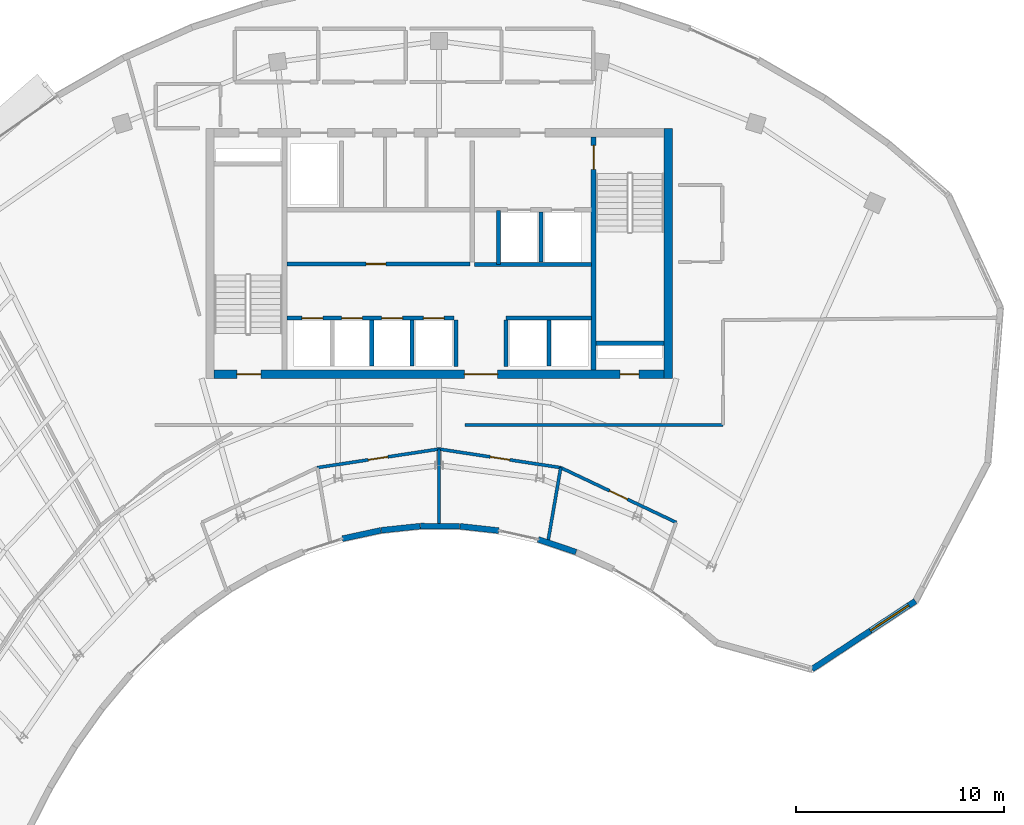
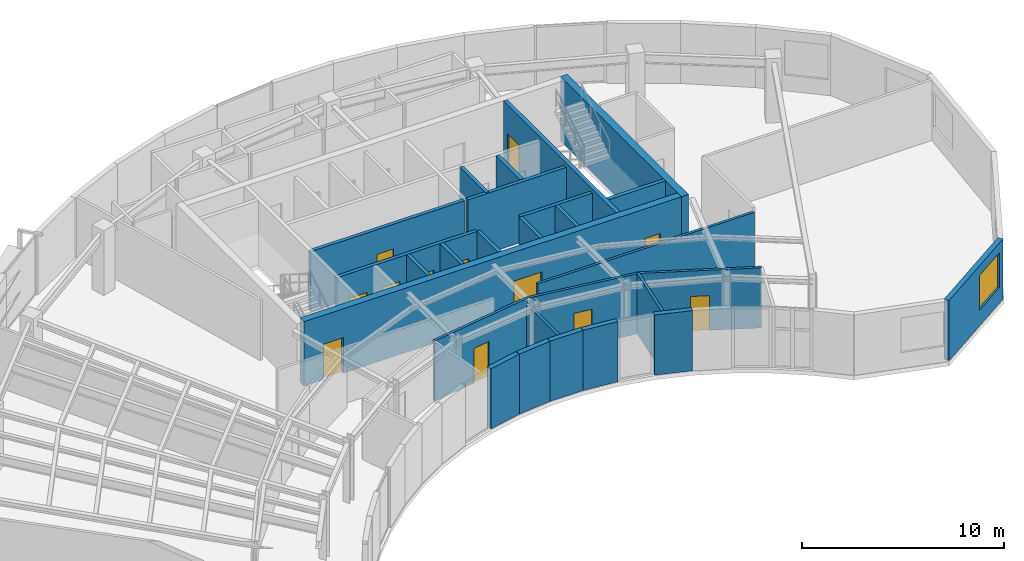
# One storey, part 9 of 13: 27 walls, 12 doors, 1 window, 13 openings.
"""IFC4 building model written with IfcOpenShell, lengths in metres."""

import ifcopenshell
import ifcopenshell.guid

model = None  # the IFC model being written
_history = None  # IfcOwnerHistory: only IFC2X3 demands one
_inside = {}  # id of a spatial element -> (the spatial element, [elements in it])
_under = {}  # id of a project, library or spatial element -> (it, [spatial elements below it])
_declared = {}  # id of a project -> (the project, [libraries it declares])
_typed = {}  # id of a type object -> (the type object, [elements of that type])
_made_of = {}  # id of a material, layer set ... -> (it, [elements and type objects made of it])


def new_model(schema):
    """Start an empty IFC model of exactly this schema.

    Asked for "IFC4X3", IfcOpenShell would pick the latest addendum, in which some entities
    have other attributes; the version numbers below select the first issue.
    IFC2X3 requires an IfcOwnerHistory on every rooted entity: one is made here for all.
    """
    global model, _history
    if schema == "IFC4X3":
        model = ifcopenshell.file(schema_version=(4, 3, 0, 0))
    else:
        model = ifcopenshell.file(schema=schema)
    _inside.clear()
    _under.clear()
    _declared.clear()
    _typed.clear()
    _made_of.clear()
    _history = None
    if model.schema == "IFC2X3":
        org = make("IfcOrganization", Name="unknown")
        user = make(
            "IfcPersonAndOrganization",
            ThePerson=make("IfcPerson", FamilyName="unknown"),
            TheOrganization=org,
        )
        app = make(
            "IfcApplication",
            ApplicationDeveloper=org,
            Version="unknown",
            ApplicationFullName="unknown",
            ApplicationIdentifier="unknown",
        )
        _history = make(
            "IfcOwnerHistory",
            OwningUser=user,
            OwningApplication=app,
            ChangeAction="ADDED",
            CreationDate=0,
        )
    return model


def make(cls, **values):
    """One entity of the class cls with the attributes given. An attribute that is None is left unset."""
    return model.create_entity(
        cls, **{name: value for name, value in values.items() if value is not None}
    )


def rooted(cls, **values):
    """An entity with a GlobalId (a new one), such as an element, a storey or a relation."""
    return make(cls, GlobalId=ifcopenshell.guid.new(), OwnerHistory=_history, **values)


def si_unit(unit_type, name, prefix=None):
    """IfcSIUnit, for example si_unit("LENGTHUNIT", "METRE", prefix="MILLI")."""
    return make("IfcSIUnit", UnitType=unit_type, Prefix=prefix, Name=name)


def assignment(units):
    """IfcUnitAssignment: the units of a project."""
    return None if units is None else make("IfcUnitAssignment", Units=units)


def point(xyz):
    """IfcCartesianPoint."""
    return None if xyz is None else make("IfcCartesianPoint", Coordinates=xyz)


def direction(xyz):
    """IfcDirection."""
    return None if xyz is None else make("IfcDirection", DirectionRatios=xyz)


def frame(location, z_axis=None, x_axis=None):
    """IfcAxis2Placement3D, a coordinate frame: its origin and axes. An axis left out is left unset."""
    return make(
        "IfcAxis2Placement3D",
        Location=point(location),
        Axis=direction(z_axis),
        RefDirection=direction(x_axis),
    )


def frame_2d(location, x_axis=None):
    """IfcAxis2Placement2D, a coordinate frame in the plane: its origin and x axis."""
    return make(
        "IfcAxis2Placement2D", Location=point(location), RefDirection=direction(x_axis)
    )


def origin():
    """The frame at (0, 0, 0) with its axes left unset."""
    return frame((0.0, 0.0, 0.0))


def place(relative_to, where):
    """IfcLocalPlacement: puts the frame where relative to a parent placement (None: the world)."""
    return make(
        "IfcLocalPlacement", PlacementRelTo=relative_to, RelativePlacement=where
    )


def context(
    kind, dimensions, precision=None, world=None, true_north=None, identifier=None
):
    """IfcGeometricRepresentationContext, for example the 3D "Model" context."""
    return make(
        "IfcGeometricRepresentationContext",
        ContextIdentifier=identifier,
        ContextType=kind,
        CoordinateSpaceDimension=dimensions,
        Precision=precision,
        WorldCoordinateSystem=world,
        TrueNorth=true_north,
    )


def subcontext(parent, identifier, kind, view, scale=None):
    """IfcGeometricRepresentationSubContext, for example "Body" below "Model"."""
    return make(
        "IfcGeometricRepresentationSubContext",
        ContextIdentifier=identifier,
        ContextType=kind,
        ParentContext=parent,
        TargetScale=scale,
        TargetView=view,
    )


def project(units=None, contexts=None):
    """IfcProject with its units and contexts."""
    return rooted(
        "IfcProject",
        Name="project",
        RepresentationContexts=contexts,
        UnitsInContext=assignment(units),
    )


def spatial(cls, under=None, at=None, **own):
    """A site, building, storey or space (cls), placed at a placement, below another one or the project."""
    s = rooted(cls, ObjectPlacement=at, **own)
    if under is not None:
        _under.setdefault(under.id(), (under, []))[1].append(s)
    return s


def profile(cls, at=None, kind="AREA", **sizes):
    """A parametric profile (cls). Its sizes go by their IFC names, for example OverallWidth=200.0."""
    return make(cls, ProfileType=kind, Position=at, **sizes)


def rectangle(**sizes):
    """IfcRectangleProfileDef."""
    return profile("IfcRectangleProfileDef", **sizes)


def extrude(swept, where, along, depth):
    """IfcExtrudedAreaSolid: the profile swept, set in the frame where, extruded along a direction by depth."""
    return make(
        "IfcExtrudedAreaSolid",
        SweptArea=swept,
        Position=where,
        ExtrudedDirection=direction(along),
        Depth=depth,
    )


def shape(context_of_items, identifier, shape_type, items):
    """IfcShapeRepresentation: the items that make up one representation, for example the "Body"."""
    return make(
        "IfcShapeRepresentation",
        ContextOfItems=context_of_items,
        RepresentationIdentifier=identifier,
        RepresentationType=shape_type,
        Items=items,
    )


def source(mapping_origin, context_of_items, identifier, shape_type, items):
    """IfcRepresentationMap: a shape defined once, which mapped items show again and again."""
    return make(
        "IfcRepresentationMap",
        MappingOrigin=mapping_origin,
        MappedRepresentation=shape(context_of_items, identifier, shape_type, items),
    )


def transform(
    local_origin,
    x_axis=None,
    y_axis=None,
    z_axis=None,
    scale=None,
    scale2=None,
    scale3=None,
    uniform=True,
):
    """IfcCartesianTransformationOperator3D, or its non-uniform kind. x_axis, y_axis, z_axis: its Axis1, 2, 3."""
    if uniform:
        return make(
            "IfcCartesianTransformationOperator3D",
            Axis1=direction(x_axis),
            Axis2=direction(y_axis),
            LocalOrigin=point(local_origin),
            Scale=scale,
            Axis3=direction(z_axis),
        )
    return make(
        "IfcCartesianTransformationOperator3DnonUniform",
        Axis1=direction(x_axis),
        Axis2=direction(y_axis),
        LocalOrigin=point(local_origin),
        Scale=scale,
        Axis3=direction(z_axis),
        Scale2=scale2,
        Scale3=scale3,
    )


def mapped(mapping_source, mapping_target):
    """IfcMappedItem: shows the shape of a source again, moved by a transform."""
    return make(
        "IfcMappedItem", MappingSource=mapping_source, MappingTarget=mapping_target
    )


def material(Name=None, Category=None):
    """IfcMaterial."""
    return make("IfcMaterial", Name=Name, Category=Category)


def layer(
    of_material, thickness, ventilated=None, Name=None, Category=None, Priority=None
):
    """IfcMaterialLayer: one layer of a wall or slab, of a material (None: an air gap)."""
    return make(
        "IfcMaterialLayer",
        Material=of_material,
        LayerThickness=thickness,
        IsVentilated=ventilated,
        Name=Name,
        Category=Category,
        Priority=Priority,
    )


def layer_set(layers, Name=None):
    """IfcMaterialLayerSet."""
    return make("IfcMaterialLayerSet", MaterialLayers=layers, LayerSetName=Name)


def made_of(thing, what):
    """Note that an element or type object is made of a material, layer set ...; save() writes the relation."""
    if what is not None:
        _made_of.setdefault(what.id(), (what, []))[1].append(thing)
    return thing


def type_object(cls, material=None, **own):
    """A type object (cls), such as IfcWallType, which elements share."""
    return made_of(rooted(cls, **own), material)


def type_shapes(of_type, sources):
    """Give a type object the sources (RepresentationMaps) that its elements show as mapped items."""
    of_type.RepresentationMaps = sources


def element(
    cls,
    number,
    at=None,
    inside=None,
    cuts=None,
    type_object=None,
    material=None,
    context=None,
    identifier="Body",
    shape_type=None,
    held_by="IfcProductDefinitionShape",
    body=None,
    shapes=None,
    **own,
):
    """One element of the class cls, such as IfcWall. Its Tag is "e" and its number.

    at: its placement. inside: the storey or other place that contains it. cuts: it is an
    opening in that element (IfcRelVoidsElement). A single representation is given by context,
    identifier, shape_type and body (its items); several are given by shapes. held_by: the class
    of the entity that holds the representations. save() writes the other relations.
    """
    e = rooted(cls, Tag="e%d" % number, ObjectPlacement=at, **own)
    if body is not None:
        shapes = [shape(context, identifier, shape_type, body)]
    if shapes is not None:
        e.Representation = make(held_by, Representations=shapes)
    if inside is not None:
        _inside.setdefault(inside.id(), (inside, []))[1].append(e)
    if cuts is not None:
        rooted(
            "IfcRelVoidsElement", RelatingBuildingElement=cuts, RelatedOpeningElement=e
        )
    if type_object is not None:
        _typed.setdefault(type_object.id(), (type_object, []))[1].append(e)
    return made_of(e, material)


def fill(opening, filler):
    """IfcRelFillsElement: the door or window that sits in an opening."""
    return rooted(
        "IfcRelFillsElement",
        RelatingOpeningElement=opening,
        RelatedBuildingElement=filler,
    )


def aggregate(whole, parts):
    """IfcRelAggregates: a whole, such as a stair, and the parts it consists of."""
    return rooted("IfcRelAggregates", RelatingObject=whole, RelatedObjects=parts)


def save(model, path):
    """Write the relations noted so far, then the file.

    IfcRelAggregates (storeys below a building ...), IfcRelContainedInSpatialStructure (elements
    in a storey), IfcRelDefinesByType, IfcRelAssociatesMaterial and IfcRelDeclares: one each for
    every whole, place, type object, material and project.
    """
    for whole, parts in _under.values():
        aggregate(whole, parts)
    for where, things in _inside.values():
        rooted(
            "IfcRelContainedInSpatialStructure",
            RelatedElements=things,
            RelatingStructure=where,
        )
    for kind, things in _typed.values():
        rooted("IfcRelDefinesByType", RelatedObjects=things, RelatingType=kind)
    for what, things in _made_of.values():
        rooted("IfcRelAssociatesMaterial", RelatedObjects=things, RelatingMaterial=what)
    for by, libraries in _declared.values():
        rooted("IfcRelDeclares", RelatingContext=by, RelatedDefinitions=libraries)
    model.write(path)


model = new_model("IFC4")

# Units and contexts
model_context = context("Model", 3, precision=1e-05, world=origin(), true_north=direction((0.0, 1.0)))
body_context = subcontext(model_context, "Body", "Model", "MODEL_VIEW")
ifc_project = project(units=[si_unit("LENGTHUNIT", "METRE"), si_unit("AREAUNIT", "SQUARE_METRE"), si_unit("VOLUMEUNIT", "CUBIC_METRE"), si_unit("PLANEANGLEUNIT", "RADIAN"), si_unit("MASSUNIT", "GRAM", prefix="KILO")], contexts=[model_context])

# Site, building, storey
site_placement = place(None, origin())
site = spatial("IfcSite", under=ifc_project, at=site_placement, CompositionType="ELEMENT")
building_placement = place(site_placement, origin())
building = spatial("IfcBuilding", under=site, at=building_placement, Name="Breltana Convention Tower", CompositionType="ELEMENT")
storey_placement = place(building_placement, frame((0.0, 0.0, 271.800048828125)))
storey = spatial("IfcBuildingStorey", under=building, at=storey_placement, Name="L66", CompositionType="ELEMENT", Elevation=271.800048828125)

# Walls
ifc_material_1 = material(Name="Concrete C50/60", Category="concrete")
ifc_layer_1 = layer(ifc_material_1, 0.39990234375, Name="Concrete C50/60")
ifc_layer_set_1 = layer_set([ifc_layer_1], Name="Concrete C50/60")
wall_type_1 = type_object("IfcWallType", Name="SW-CORE-400", PredefinedType="SHEAR", material=ifc_layer_set_1)
shared_shape_1 = source(origin(), body_context, "Body", "SweptSolid", [
    extrude(rectangle(XDim=3.27001953125, YDim=0.219970703125, at=frame_2d((1.635009765625, 0.0))), origin(), (0.0, 0.0, 1.0), 3.89990234375),
])
wall_1_placement = place(storey_placement, frame((55.530029296875, 61.889892578125, 0.0), z_axis=(0.0, 0.0, 1.0), x_axis=(1.0, 0.0, 0.0)))
element("IfcWall", 1, at=wall_1_placement, inside=storey, type_object=wall_type_1, Name="L66 ST-2 Stairwell South Bearing Wall", PredefinedType="SHEAR", context=body_context, shape_type="MappedRepresentation", body=[
    mapped(shared_shape_1, transform((0.0, 0.0, 0.0), scale=1.0)),
])
shared_shape_2 = source(origin(), body_context, "Body", "SweptSolid", [
    extrude(rectangle(XDim=12.0, YDim=0.39990234375, at=frame_2d((6.0, 0.0))), origin(), (0.0, 0.0, 1.0), 3.89990234375),
])
wall_2_placement = place(storey_placement, frame((59.0, 60.199951171875, 0.0), z_axis=(0.0, 0.0, 1.0), x_axis=(0.0, 1.0, 0.0)))
element("IfcWall", 2, at=wall_2_placement, inside=storey, type_object=wall_type_1, Name="L66 East Core Shear Wall", PredefinedType="SHEAR", context=body_context, shape_type="MappedRepresentation", body=[
    mapped(shared_shape_2, transform((0.0, 0.0, 0.0), scale=1.0)),
])

# Wall, openings, doors
shared_shape_3 = source(origin(), body_context, "Body", "SweptSolid", [
    extrude(rectangle(XDim=21.60009765625, YDim=0.39990234375, at=frame_2d((10.800048828125, 0.0))), origin(), (0.0, 0.0, 1.0), 3.89990234375),
])
wall_3_placement = place(storey_placement, frame((37.199951171875, 60.39990234375, 0.0), z_axis=(0.0, 0.0, 1.0), x_axis=(1.0, 0.0, 0.0)))
wall_3 = element("IfcWall", 3, at=wall_3_placement, inside=storey, type_object=wall_type_1, Name="L66 South Core Shear Wall", PredefinedType="SHEAR", context=body_context, shape_type="MappedRepresentation", body=[
    mapped(shared_shape_3, transform((0.0, 0.0, 0.0), scale=1.0)),
])
opening_1_placement = place(wall_3_placement, frame((1.10009765625, 0.0, 0.0)))
opening_1 = element("IfcOpeningElement", 4, at=opening_1_placement, cuts=wall_3, Name="Opening D-11", PredefinedType="OPENING", context=body_context, shape_type="SweptSolid", body=[
    extrude(rectangle(XDim=1.14990234375, YDim=2.14990234375, at=frame_2d((0.574951171875, 1.074951171875))), frame((0.0, 0.2099609375, 0.0), z_axis=(0.0, -1.0, 0.0), x_axis=(1.0, 0.0, 0.0)), (0.0, 0.0, 1.0), 0.419921875),
])
opening_2_placement = place(wall_3_placement, frame((19.5, 0.0, 0.0)))
opening_2 = element("IfcOpeningElement", 5, at=opening_2_placement, cuts=wall_3, Name="Opening D-18", PredefinedType="OPENING", context=body_context, shape_type="SweptSolid", body=[
    extrude(rectangle(XDim=0.89990234375, YDim=2.10009765625, at=frame_2d((0.449951171875, 1.050048828125))), frame((0.0, 0.2099609375, 0.0), z_axis=(0.0, -1.0, 0.0), x_axis=(1.0, 0.0, 0.0)), (0.0, 0.0, 1.0), 0.419921875),
])
opening_3_placement = place(wall_3_placement, frame((12.02001953125, 0.0, 0.0)))
opening_3 = element("IfcOpeningElement", 6, at=opening_3_placement, cuts=wall_3, Name="Opening D-02", PredefinedType="OPENING", context=body_context, shape_type="SweptSolid", body=[
    extrude(rectangle(XDim=1.60009765625, YDim=2.14990234375, at=frame_2d((0.800048828125, 1.074951171875))), frame((0.0, 0.2099609375, 0.0), z_axis=(0.0, -1.0, 0.0), x_axis=(1.0, 0.0, 0.0)), (0.0, 0.0, 1.0), 0.419921875),
])
ifc_material_2 = material(Name="Steel Stair Exit Door", Category="steel")
door_type_1 = type_object("IfcDoorType", Name="DR-FD120-1150", OperationType="NOTDEFINED", PredefinedType="DOOR", material=ifc_material_2)
shared_shape_4 = source(origin(), body_context, "Body", "SweptSolid", [
    extrude(rectangle(XDim=1.14990234375, YDim=2.14990234375, at=frame_2d((0.574951171875, 1.074951171875))), frame((0.0, 0.02490234375, 0.0), z_axis=(0.0, -1.0, 0.0), x_axis=(1.0, 0.0, 0.0)), (0.0, 0.0, 1.0), 0.050048828125),
])
type_shapes(door_type_1, [shared_shape_4])
door_1_placement = place(opening_1_placement, origin())
door_1 = element("IfcDoor", 7, at=door_1_placement, inside=storey, type_object=door_type_1, Name="L66 interior door D-L66-ST1", OperationType="SINGLE_SWING_LEFT", OverallHeight=2.14990234375, OverallWidth=1.14990234375, PredefinedType="DOOR", context=body_context, shape_type="MappedRepresentation", body=[
    mapped(shared_shape_4, transform((0.0, 0.0, 0.0), scale=1.0)),
])
fill(opening_1, door_1)
ifc_material_3 = material(Name="Steel Riser Fire Door", Category="steel")
door_type_2 = type_object("IfcDoorType", Name="DR-FD60-900", OperationType="NOTDEFINED", PredefinedType="DOOR", material=ifc_material_3)
shared_shape_5 = source(origin(), body_context, "Body", "SweptSolid", [
    extrude(rectangle(XDim=0.89990234375, YDim=2.10009765625, at=frame_2d((0.449951171875, 1.050048828125))), frame((0.0, 0.02490234375, 0.0), z_axis=(0.0, -1.0, 0.0), x_axis=(1.0, 0.0, 0.0)), (0.0, 0.0, 1.0), 0.050048828125),
])
type_shapes(door_type_2, [shared_shape_5])
door_2_placement = place(opening_2_placement, origin())
door_2 = element("IfcDoor", 8, at=door_2_placement, inside=storey, type_object=door_type_2, Name="L66 Core Riser Access Door D-L66-RS2", OperationType="SINGLE_SWING_RIGHT", OverallHeight=2.10009765625, OverallWidth=0.89990234375, PredefinedType="DOOR", context=body_context, shape_type="MappedRepresentation", body=[
    mapped(shared_shape_5, transform((0.0, 0.0, 0.0), scale=1.0)),
])
fill(opening_2, door_2)
ifc_material_4 = material(Name="Steel Glazed Smoke-Control Door", Category="steel")
door_type_3 = type_object("IfcDoorType", Name="DR-DBL-FD90-1600", OperationType="DOUBLE_DOOR_SINGLE_SWING", PredefinedType="DOOR", material=ifc_material_4)
shared_shape_6 = source(origin(), body_context, "Body", "SweptSolid", [
    extrude(rectangle(XDim=1.60009765625, YDim=2.14990234375, at=frame_2d((0.800048828125, 1.074951171875))), frame((0.0, 0.02490234375, 0.0), z_axis=(0.0, -1.0, 0.0), x_axis=(1.0, 0.0, 0.0)), (0.0, 0.0, 1.0), 0.050048828125),
])
type_shapes(door_type_3, [shared_shape_6])
door_3_placement = place(opening_3_placement, origin())
door_3 = element("IfcDoor", 9, at=door_3_placement, inside=storey, type_object=door_type_3, Name="L66 interior door D-L66-LLB-S", OperationType="DOUBLE_DOOR_SINGLE_SWING", OverallHeight=2.14990234375, OverallWidth=1.60009765625, PredefinedType="DOOR", context=body_context, shape_type="MappedRepresentation", body=[
    mapped(shared_shape_6, transform((0.0, 0.0, 0.0), scale=1.0)),
])
fill(opening_3, door_3)

# Wall, opening, door
shared_shape_7 = source(origin(), body_context, "Body", "SweptSolid", [
    extrude(rectangle(XDim=11.199951171875, YDim=0.219970703125, at=frame_2d((5.60009765625, 0.0))), origin(), (0.0, 0.0, 1.0), 3.89990234375),
])
wall_4_placement = place(storey_placement, frame((55.419921875, 60.60009765625, 0.0), z_axis=(0.0, 0.0, 1.0), x_axis=(0.0, 1.0, 0.0)))
wall_4 = element("IfcWall", 10, at=wall_4_placement, inside=storey, type_object=wall_type_1, Name="L66 Core East Stair Spine Wall", PredefinedType="SHEAR", context=body_context, shape_type="MappedRepresentation", body=[
    mapped(shared_shape_7, transform((0.0, 0.0, 0.0), scale=1.0)),
])
opening_4_placement = place(wall_4_placement, frame((9.64501953125, 0.0, 0.0)))
opening_4 = element("IfcOpeningElement", 11, at=opening_4_placement, cuts=wall_4, Name="Opening D-11", PredefinedType="OPENING", context=body_context, shape_type="SweptSolid", body=[
    extrude(rectangle(XDim=1.14990234375, YDim=2.14990234375, at=frame_2d((0.574951171875, 1.074951171875))), frame((0.0, 0.1201171875, 0.0), z_axis=(0.0, -1.0, 0.0), x_axis=(1.0, 0.0, 0.0)), (0.0, 0.0, 1.0), 0.239990234375),
])
door_4_placement = place(opening_4_placement, origin())
door_4 = element("IfcDoor", 12, at=door_4_placement, inside=storey, type_object=door_type_1, Name="L66 interior door D-L66-ST2", OperationType="SINGLE_SWING_LEFT", OverallHeight=2.14990234375, OverallWidth=1.14990234375, PredefinedType="DOOR", context=body_context, shape_type="MappedRepresentation", body=[
    mapped(shared_shape_4, transform((0.0, 0.0, 0.0), scale=1.0)),
])
fill(opening_4, door_4)

# Wall, opening, window
ifc_material_5 = material(Name="Limestone Buff Insulated Wall", Category="masonry")
ifc_layer_2 = layer(ifc_material_5, 0.280029296875, Name="Limestone Buff Insulated Wall")
ifc_layer_set_2 = layer_set([ifc_layer_2], Name="Limestone Buff Insulated Wall")
wall_type_2 = type_object("IfcWallType", Name="WL-EXT-NOSE-280", PredefinedType="SOLIDWALL", material=ifc_layer_set_2)
shared_shape_8 = source(origin(), body_context, "Body", "SweptSolid", [
    extrude(rectangle(XDim=5.9423828125, YDim=0.280029296875, at=frame_2d((2.97119140625, 0.0))), origin(), (0.0, 0.0, 1.0), 3.639892578125),
])
wall_5_placement = place(storey_placement, frame((70.87158203125, 49.513427734375, 0.0), z_axis=(0.0, 0.0, 1.0), x_axis=(-0.834871099304, -0.550445499162, 0.0)))
wall_5 = element("IfcWall", 13, at=wall_5_placement, inside=storey, type_object=wall_type_2, Name="L66 curved limestone nose wall E4", PredefinedType="SOLIDWALL", context=body_context, shape_type="MappedRepresentation", body=[
    mapped(shared_shape_8, transform((0.0, 0.0, 0.0), scale=1.0)),
])
opening_5_placement = place(wall_5_placement, frame((0.385498046875, 0.0, 0.949951171875)))
opening_5 = element("IfcOpeningElement", 14, at=opening_5_placement, cuts=wall_5, Name="Opening W-03", PredefinedType="OPENING", context=body_context, shape_type="SweptSolid", body=[
    extrude(rectangle(XDim=2.199951171875, YDim=2.10009765625, at=frame_2d((1.10009765625, 1.050048828125))), frame((0.0, 0.14990234375, 0.0), z_axis=(0.0, -1.0, 0.0), x_axis=(1.0, 0.0, 0.0)), (0.0, 0.0, 1.0), 0.300048828125),
])
ifc_material_6 = material(Name="Glass Low-E Insulated Window", Category="glass")
window_type = type_object("IfcWindowType", Name="WN-NOSE-2200X2100", PartitioningType="TRIPLE_PANEL_VERTICAL", PredefinedType="WINDOW", material=ifc_material_6)
shared_shape_9 = source(origin(), body_context, "Body", "SweptSolid", [
    extrude(rectangle(XDim=2.199951171875, YDim=2.10009765625, at=frame_2d((1.10009765625, 1.050048828125))), frame((0.0, 0.030029296875, 0.0), z_axis=(0.0, -1.0, 0.0), x_axis=(1.0, 0.0, 0.0)), (0.0, 0.0, 1.0), 0.06005859375),
])
type_shapes(window_type, [shared_shape_9])
window_placement = place(opening_5_placement, origin())
window = element("IfcWindow", 15, at=window_placement, inside=storey, type_object=window_type, Name="L66 nose window E4", OverallHeight=2.10009765625, OverallWidth=2.199951171875, PartitioningType="TRIPLE_PANEL_VERTICAL", PredefinedType="WINDOW", context=body_context, shape_type="MappedRepresentation", body=[
    mapped(shared_shape_9, transform((0.0, 0.0, 0.0), scale=1.0)),
])
fill(opening_5, window)

# Walls
shared_shape_10 = source(origin(), body_context, "Body", "SweptSolid", [
    extrude(rectangle(XDim=1.917724609375, YDim=0.280029296875, at=frame_2d((0.958984375, 0.0))), origin(), (0.0, 0.0, 1.0), 3.639892578125),
])
wall_6_placement = place(storey_placement, frame((54.579345703125, 51.865234375, 0.0), z_axis=(0.0, 0.0, 1.0), x_axis=(-0.947916697588, 0.318518342381, 0.0)))
element("IfcWall", 16, at=wall_6_placement, inside=storey, type_object=wall_type_2, Name="L66 curved limestone nose wall E8", PredefinedType="SOLIDWALL", context=body_context, shape_type="MappedRepresentation", body=[
    mapped(shared_shape_10, transform((0.0, 0.0, 0.0), scale=1.0)),
])
shared_shape_11 = source(origin(), body_context, "Body", "SweptSolid", [
    extrude(rectangle(XDim=1.87939453125, YDim=0.280029296875, at=frame_2d((0.939697265625, 0.0))), origin(), (0.0, 0.0, 1.0), 3.639892578125),
])
wall_7_placement = place(storey_placement, frame((50.875244140625, 52.8955078125, 0.0), z_axis=(0.0, 0.0, 1.0), x_axis=(-0.993797887127, 0.111201436782, 0.0)))
element("IfcWall", 17, at=wall_7_placement, inside=storey, type_object=wall_type_2, Name="L66 curved limestone nose wall E9", PredefinedType="SOLIDWALL", context=body_context, shape_type="MappedRepresentation", body=[
    mapped(shared_shape_11, transform((0.0, 0.0, 0.0), scale=1.0)),
])
shared_shape_12 = source(origin(), body_context, "Body", "SweptSolid", [
    extrude(rectangle(XDim=1.874267578125, YDim=0.280029296875, at=frame_2d((0.93701171875, 0.0))), origin(), (0.0, 0.0, 1.0), 3.639892578125),
])
wall_8_placement = place(storey_placement, frame((48.988037109375, 53.105712890625, 0.0), z_axis=(0.0, 0.0, 1.0), x_axis=(-0.999995893899, 0.002865690982, 0.0)))
element("IfcWall", 18, at=wall_8_placement, inside=storey, type_object=wall_type_2, Name="L66 curved limestone nose wall E10", PredefinedType="SOLIDWALL", context=body_context, shape_type="MappedRepresentation", body=[
    mapped(shared_shape_12, transform((0.0, 0.0, 0.0), scale=1.0)),
])
shared_shape_13 = source(origin(), body_context, "Body", "SweptSolid", [
    extrude(rectangle(XDim=1.87890625, YDim=0.280029296875, at=frame_2d((0.939453125, 0.0))), origin(), (0.0, 0.0, 1.0), 3.639892578125),
])
wall_9_placement = place(storey_placement, frame((47.09423828125, 53.110107421875, 0.0), z_axis=(0.0, 0.0, 1.0), x_axis=(-0.994431872813, -0.105381451568, 0.0)))
element("IfcWall", 19, at=wall_9_placement, inside=storey, type_object=wall_type_2, Name="L66 curved limestone nose wall E11", PredefinedType="SOLIDWALL", context=body_context, shape_type="MappedRepresentation", body=[
    mapped(shared_shape_13, transform((0.0, 0.0, 0.0), scale=1.0)),
])
shared_shape_14 = source(origin(), body_context, "Body", "SweptSolid", [
    extrude(rectangle(XDim=1.89306640625, YDim=0.280029296875, at=frame_2d((0.946533203125, 0.0))), origin(), (0.0, 0.0, 1.0), 3.639892578125),
])
wall_10_placement = place(storey_placement, frame((45.206787109375, 52.908935546875, 0.0), z_axis=(0.0, 0.0, 1.0), x_axis=(-0.977379595344, -0.21149261596, 0.0)))
element("IfcWall", 20, at=wall_10_placement, inside=storey, type_object=wall_type_2, Name="L66 curved limestone nose wall E12", PredefinedType="SOLIDWALL", context=body_context, shape_type="MappedRepresentation", body=[
    mapped(shared_shape_14, transform((0.0, 0.0, 0.0), scale=1.0)),
])
ifc_material_7 = material(Name="Autoclaved Aerated Concrete Block", Category="concrete")
ifc_layer_3 = layer(ifc_material_7, 0.199951171875, Name="Autoclaved Aerated Concrete Block")
ifc_layer_set_3 = layer_set([ifc_layer_3], Name="Autoclaved Aerated Concrete Block")
wall_type_3 = type_object("IfcWallType", Name="WL-SHAFT-200", PredefinedType="SOLIDWALL", material=ifc_layer_set_3)
shared_shape_15 = source(origin(), body_context, "Body", "SweptSolid", [
    extrude(rectangle(XDim=2.239990234375, YDim=0.199951171875, at=frame_2d((1.1201171875, 0.0))), origin(), (0.0, 0.0, 1.0), 3.639892578125),
])
for number, where, z_axis, x_axis, name in (
    (21, (48.820068359375, 60.780029296875, 0.0), (0.0, 0.0, 1.0), (0.0, 1.0, 0.0), "L66 interior partition W-L66-PORT-W"),
    (22, (51.219970703125, 60.780029296875, 0.0), (0.0, 0.0, 1.0), (0.0, 1.0, 0.0), "L66 interior partition W-L66-PORT-E"),
):
    element("IfcWall", number, at=place(storey_placement, frame(where, z_axis=z_axis, x_axis=x_axis)), inside=storey, type_object=wall_type_3, Name=name, PredefinedType="SOLIDWALL", context=body_context, shape_type="MappedRepresentation", body=[
        mapped(shared_shape_15, transform((0.0, 0.0, 0.0), scale=1.0)),
    ])
shared_shape_16 = source(origin(), body_context, "Body", "SweptSolid", [
    extrude(rectangle(XDim=5.6201171875, YDim=0.199951171875, at=frame_2d((2.81005859375, 0.0))), origin(), (0.0, 0.0, 1.0), 3.639892578125),
])
wall_11_placement = place(storey_placement, frame((49.699951171875, 65.679931640625, 0.0), z_axis=(0.0, 0.0, 1.0), x_axis=(1.0, 0.0, 0.0)))
element("IfcWall", 23, at=wall_11_placement, inside=storey, type_object=wall_type_3, Name="L66 interior partition W-L66-FL-S", PredefinedType="SOLIDWALL", context=body_context, shape_type="MappedRepresentation", body=[
    mapped(shared_shape_16, transform((0.0, 0.0, 0.0), scale=1.0)),
])
shared_shape_17 = source(origin(), body_context, "Body", "SweptSolid", [
    extrude(rectangle(XDim=2.580078125, YDim=0.199951171875, at=frame_2d((1.2900390625, 0.0))), origin(), (0.0, 0.0, 1.0), 3.639892578125),
])
wall_12_placement = place(storey_placement, frame((50.85009765625, 65.679931640625, 0.0), z_axis=(0.0, 0.0, 1.0), x_axis=(0.0, 1.0, 0.0)))
element("IfcWall", 24, at=wall_12_placement, inside=storey, type_object=wall_type_3, Name="L66 interior partition W-L66-FL-W", PredefinedType="SOLIDWALL", context=body_context, shape_type="MappedRepresentation", body=[
    mapped(shared_shape_17, transform((0.0, 0.0, 0.0), scale=1.0)),
])
shared_shape_18 = source(origin(), body_context, "Body", "SweptSolid", [
    extrude(rectangle(XDim=2.39990234375, YDim=0.199951171875, at=frame_2d((1.199951171875, 0.0))), origin(), (0.0, 0.0, 1.0), 3.639892578125),
])
wall_13_placement = place(storey_placement, frame((52.89990234375, 65.800048828125, 0.0), z_axis=(0.0, 0.0, 1.0), x_axis=(0.0, 1.0, 0.0)))
element("IfcWall", 25, at=wall_13_placement, inside=storey, type_object=wall_type_3, Name="L66 interior partition W-L66-FL-DIV", PredefinedType="SOLIDWALL", context=body_context, shape_type="MappedRepresentation", body=[
    mapped(shared_shape_18, transform((0.0, 0.0, 0.0), scale=1.0)),
])

# Wall, opening, door
shared_shape_19 = source(origin(), body_context, "Body", "SweptSolid", [
    extrude(rectangle(XDim=8.800048828125, YDim=0.199951171875, at=frame_2d((4.39990234375, 0.0))), origin(), (0.0, 0.0, 1.0), 3.639892578125),
])
wall_14_placement = place(storey_placement, frame((40.699951171875, 65.699951171875, 0.0), z_axis=(0.0, 0.0, 1.0), x_axis=(1.0, 0.0, 0.0)))
wall_14 = element("IfcWall", 26, at=wall_14_placement, inside=storey, type_object=wall_type_3, Name="L66 interior partition W-L66-SH-M-FRONT", PredefinedType="SOLIDWALL", context=body_context, shape_type="MappedRepresentation", body=[
    mapped(shared_shape_19, transform((0.0, 0.0, 0.0), scale=1.0)),
])
opening_6_placement = place(wall_14_placement, frame((3.800048828125, 0.0, 0.0)))
opening_6 = element("IfcOpeningElement", 27, at=opening_6_placement, cuts=wall_14, Name="Opening D-14", PredefinedType="OPENING", context=body_context, shape_type="SweptSolid", body=[
    extrude(rectangle(XDim=0.949951171875, YDim=2.14990234375, at=frame_2d((0.47509765625, 1.074951171875))), frame((0.0, 0.10986328125, 0.0), z_axis=(0.0, -1.0, 0.0), x_axis=(1.0, 0.0, 0.0)), (0.0, 0.0, 1.0), 0.219970703125),
])
ifc_material_8 = material(Name="Timber Solid-Core Fire Door", Category="wood")
door_type_4 = type_object("IfcDoorType", Name="DR-FD60-950", OperationType="NOTDEFINED", PredefinedType="DOOR", material=ifc_material_8)
shared_shape_20 = source(origin(), body_context, "Body", "SweptSolid", [
    extrude(rectangle(XDim=0.949951171875, YDim=2.14990234375, at=frame_2d((0.47509765625, 1.074951171875))), frame((0.0, 0.02490234375, 0.0), z_axis=(0.0, -1.0, 0.0), x_axis=(1.0, 0.0, 0.0)), (0.0, 0.0, 1.0), 0.050048828125),
])
type_shapes(door_type_4, [shared_shape_20])
door_5_placement = place(opening_6_placement, origin())
door_5 = element("IfcDoor", 28, at=door_5_placement, inside=storey, type_object=door_type_4, Name="L66 interior door D-L66-LV7-B2A", OperationType="SINGLE_SWING_LEFT", OverallHeight=2.14990234375, OverallWidth=0.949951171875, PredefinedType="DOOR", context=body_context, shape_type="MappedRepresentation", body=[
    mapped(shared_shape_20, transform((0.0, 0.0, 0.0), scale=1.0)),
])
fill(opening_6, door_5)

# Wall, openings, doors
shared_shape_21 = source(origin(), body_context, "Body", "SweptSolid", [
    extrude(rectangle(XDim=8.02001953125, YDim=0.199951171875, at=frame_2d((4.010009765625, 0.0))), origin(), (0.0, 0.0, 1.0), 3.639892578125),
])
wall_15_placement = place(storey_placement, frame((40.699951171875, 63.10009765625, 0.0), z_axis=(0.0, 0.0, 1.0), x_axis=(1.0, 0.0, 0.0)))
wall_15 = element("IfcWall", 29, at=wall_15_placement, inside=storey, type_object=wall_type_3, Name="L66 interior partition W-L66-SH-S-FRONT", PredefinedType="SOLIDWALL", context=body_context, shape_type="MappedRepresentation", body=[
    mapped(shared_shape_21, transform((0.0, 0.0, 0.0), scale=1.0)),
])
opening_7_placement = place(wall_15_placement, frame((0.719970703125, 0.0, 0.0)))
opening_7 = element("IfcOpeningElement", 30, at=opening_7_placement, cuts=wall_15, Name="Opening LD-04", PredefinedType="OPENING", context=body_context, shape_type="SweptSolid", body=[
    extrude(rectangle(XDim=1.0, YDim=2.14990234375, at=frame_2d((0.5, 1.074951171875))), frame((0.0, 0.10986328125, 0.0), z_axis=(0.0, -1.0, 0.0), x_axis=(1.0, 0.0, 0.0)), (0.0, 0.0, 1.0), 0.219970703125),
])
opening_8_placement = place(wall_15_placement, frame((2.6201171875, 0.0, 0.0)))
opening_8 = element("IfcOpeningElement", 31, at=opening_8_placement, cuts=wall_15, Name="Opening LD-04", PredefinedType="OPENING", context=body_context, shape_type="SweptSolid", body=[
    extrude(rectangle(XDim=1.0, YDim=2.14990234375, at=frame_2d((0.5, 1.074951171875))), frame((0.0, 0.10986328125, 0.0), z_axis=(0.0, -1.0, 0.0), x_axis=(1.0, 0.0, 0.0)), (0.0, 0.0, 1.0), 0.219970703125),
])
opening_9_placement = place(wall_15_placement, frame((4.550048828125, 0.0, 0.0)))
opening_9 = element("IfcOpeningElement", 32, at=opening_9_placement, cuts=wall_15, Name="Opening LD-04", PredefinedType="OPENING", context=body_context, shape_type="SweptSolid", body=[
    extrude(rectangle(XDim=1.0, YDim=2.14990234375, at=frame_2d((0.5, 1.074951171875))), frame((0.0, 0.10986328125, 0.0), z_axis=(0.0, -1.0, 0.0), x_axis=(1.0, 0.0, 0.0)), (0.0, 0.0, 1.0), 0.219970703125),
])
opening_10_placement = place(wall_15_placement, frame((6.550048828125, 0.0, 0.0)))
opening_10 = element("IfcOpeningElement", 33, at=opening_10_placement, cuts=wall_15, Name="Opening LD-04", PredefinedType="OPENING", context=body_context, shape_type="SweptSolid", body=[
    extrude(rectangle(XDim=1.0, YDim=2.14990234375, at=frame_2d((0.5, 1.074951171875))), frame((0.0, 0.10986328125, 0.0), z_axis=(0.0, -1.0, 0.0), x_axis=(1.0, 0.0, 0.0)), (0.0, 0.0, 1.0), 0.219970703125),
])
ifc_material_9 = material(Name="Stainless Steel Brushed", Category="steel")
door_type_5 = type_object("IfcDoorType", Name="DR-LD-PAX-1000", OperationType="DOUBLE_DOOR_SLIDING", PredefinedType="DOOR", material=ifc_material_9)
shared_shape_22 = source(origin(), body_context, "Body", "SweptSolid", [
    extrude(rectangle(XDim=1.0, YDim=2.14990234375, at=frame_2d((0.5, 1.074951171875))), frame((0.0, 0.02490234375, 0.0), z_axis=(0.0, -1.0, 0.0), x_axis=(1.0, 0.0, 0.0)), (0.0, 0.0, 1.0), 0.050048828125),
])
type_shapes(door_type_5, [shared_shape_22])
door_6_placement = place(opening_7_placement, origin())
door_6 = element("IfcDoor", 34, at=door_6_placement, inside=storey, type_object=door_type_5, Name="L66 Lift Landing Door D-L66-LD-S1", OperationType="DOUBLE_DOOR_SLIDING", OverallHeight=2.14990234375, OverallWidth=1.0, PredefinedType="DOOR", context=body_context, shape_type="MappedRepresentation", body=[
    mapped(shared_shape_22, transform((0.0, 0.0, 0.0), scale=1.0)),
])
fill(opening_7, door_6)
door_7_placement = place(opening_8_placement, origin())
door_7 = element("IfcDoor", 35, at=door_7_placement, inside=storey, type_object=door_type_5, Name="L66 Lift Landing Door D-L66-LD-S2", OperationType="DOUBLE_DOOR_SLIDING", OverallHeight=2.14990234375, OverallWidth=1.0, PredefinedType="DOOR", context=body_context, shape_type="MappedRepresentation", body=[
    mapped(shared_shape_22, transform((0.0, 0.0, 0.0), scale=1.0)),
])
fill(opening_8, door_7)
door_8_placement = place(opening_9_placement, origin())
door_8 = element("IfcDoor", 36, at=door_8_placement, inside=storey, type_object=door_type_5, Name="L66 Lift Landing Door D-L66-LD-S3", OperationType="DOUBLE_DOOR_SLIDING", OverallHeight=2.14990234375, OverallWidth=1.0, PredefinedType="DOOR", context=body_context, shape_type="MappedRepresentation", body=[
    mapped(shared_shape_22, transform((0.0, 0.0, 0.0), scale=1.0)),
])
fill(opening_9, door_8)
door_9_placement = place(opening_10_placement, origin())
door_9 = element("IfcDoor", 37, at=door_9_placement, inside=storey, type_object=door_type_5, Name="L66 Lift Landing Door D-L66-LD-S4", OperationType="DOUBLE_DOOR_SLIDING", OverallHeight=2.14990234375, OverallWidth=1.0, PredefinedType="DOOR", context=body_context, shape_type="MappedRepresentation", body=[
    mapped(shared_shape_22, transform((0.0, 0.0, 0.0), scale=1.0)),
])
fill(opening_10, door_9)

# Walls
shared_shape_23 = source(origin(), body_context, "Body", "SweptSolid", [
    extrude(rectangle(XDim=4.10009765625, YDim=0.199951171875, at=frame_2d((2.050048828125, 0.0))), origin(), (0.0, 0.0, 1.0), 3.639892578125),
])
wall_16_placement = place(storey_placement, frame((51.219970703125, 63.10009765625, 0.0), z_axis=(0.0, 0.0, 1.0), x_axis=(1.0, 0.0, 0.0)))
element("IfcWall", 38, at=wall_16_placement, inside=storey, type_object=wall_type_3, Name="L66 interior partition W-L66-SH-X-FRONT", PredefinedType="SOLIDWALL", context=body_context, shape_type="MappedRepresentation", body=[
    mapped(shared_shape_23, transform((0.0, 0.0, 0.0), scale=1.0)),
])
shared_shape_24 = source(origin(), body_context, "Body", "SweptSolid", [
    extrude(rectangle(XDim=2.199951171875, YDim=0.199951171875, at=frame_2d((1.10009765625, 0.0))), origin(), (0.0, 0.0, 1.0), 3.639892578125),
])
for number, where, z_axis, x_axis, name in (
    (39, (44.77001953125, 60.800048828125, 0.0), (0.0, 0.0, 1.0), (0.0, 1.0, 0.0), "L66 interior partition W-L66-SH-S-DIV2"),
    (40, (46.699951171875, 60.800048828125, 0.0), (0.0, 0.0, 1.0), (0.0, 1.0, 0.0), "L66 interior partition W-L66-SH-S-DIV3"),
    (41, (53.280029296875, 60.800048828125, 0.0), (0.0, 0.0, 1.0), (0.0, 1.0, 0.0), "L66 interior partition W-L66-SH-X-DIV"),
):
    element("IfcWall", number, at=place(storey_placement, frame(where, z_axis=z_axis, x_axis=x_axis)), inside=storey, type_object=wall_type_3, Name=name, PredefinedType="SOLIDWALL", context=body_context, shape_type="MappedRepresentation", body=[
        mapped(shared_shape_24, transform((0.0, 0.0, 0.0), scale=1.0)),
    ])

# Wall, opening, door
ifc_material_10 = material(Name="Gypsum Acoustic Drywall Partition")
ifc_layer_4 = layer(ifc_material_10, 0.14990234375, Name="Gypsum Acoustic Drywall Partition")
ifc_layer_set_4 = layer_set([ifc_layer_4], Name="Gypsum Acoustic Drywall Partition")
wall_type_4 = type_object("IfcWallType", Name="WL-PART-150", PredefinedType="PARTITIONING", material=ifc_layer_set_4)
shared_shape_25 = source(origin(), body_context, "Body", "SweptSolid", [
    extrude(rectangle(XDim=6.13720703125, YDim=0.14990234375, at=frame_2d((3.068603515625, 0.0))), origin(), (0.0, 0.0, 1.0), 3.639892578125),
])
wall_17_placement = place(storey_placement, frame((53.84423828125, 55.9208984375, 0.0), z_axis=(0.0, 0.0, 1.0), x_axis=(0.903442784804, -0.428708682657, 0.0)))
wall_17 = element("IfcWall", 42, at=wall_17_placement, inside=storey, type_object=wall_type_4, Name="L66 interior partition W-L66-ES4-COR", PredefinedType="PARTITIONING", context=body_context, shape_type="MappedRepresentation", body=[
    mapped(shared_shape_25, transform((0.0, 0.0, 0.0), scale=1.0)),
])
opening_11_placement = place(wall_17_placement, frame((2.593505859375, 0.0, 0.0)))
opening_11 = element("IfcOpeningElement", 43, at=opening_11_placement, cuts=wall_17, Name="Opening D-17", PredefinedType="OPENING", context=body_context, shape_type="SweptSolid", body=[
    extrude(rectangle(XDim=0.949951171875, YDim=2.10009765625, at=frame_2d((0.47509765625, 1.050048828125))), frame((0.0, 0.0849609375, 0.0), z_axis=(0.0, -1.0, 0.0), x_axis=(1.0, 0.0, 0.0)), (0.0, 0.0, 1.0), 0.169921875),
])
ifc_material_11 = material(Name="Timber Oak Veneer Door", Category="wood")
door_type_6 = type_object("IfcDoorType", Name="DR-INT-950", OperationType="NOTDEFINED", PredefinedType="DOOR", material=ifc_material_11)
shared_shape_26 = source(origin(), body_context, "Body", "SweptSolid", [
    extrude(rectangle(XDim=0.949951171875, YDim=2.10009765625, at=frame_2d((0.47509765625, 1.050048828125))), frame((0.0, 0.02490234375, 0.0), z_axis=(0.0, -1.0, 0.0), x_axis=(1.0, 0.0, 0.0)), (0.0, 0.0, 1.0), 0.050048828125),
])
type_shapes(door_type_6, [shared_shape_26])
door_10_placement = place(opening_11_placement, origin())
door_10 = element("IfcDoor", 44, at=door_10_placement, inside=storey, type_object=door_type_6, Name="L66 interior door D-L66-ES4", OperationType="SINGLE_SWING_LEFT", OverallHeight=2.10009765625, OverallWidth=0.949951171875, PredefinedType="DOOR", context=body_context, shape_type="MappedRepresentation", body=[
    mapped(shared_shape_26, transform((0.0, 0.0, 0.0), scale=1.0)),
])
fill(opening_11, door_10)

shared_shape_27 = source(origin(), body_context, "Body", "SweptSolid", [
    extrude(rectangle(XDim=5.911865234375, YDim=0.14990234375, at=frame_2d((2.9560546875, 0.0))), origin(), (0.0, 0.0, 1.0), 3.639892578125),
])
wall_18_placement = place(storey_placement, frame((42.15576171875, 55.9208984375, 0.0), z_axis=(0.0, 0.0, 1.0), x_axis=(0.98854340791, 0.150936843342, 0.0)))
wall_18 = element("IfcWall", 45, at=wall_18_placement, inside=storey, type_object=wall_type_4, Name="L66 interior partition W-L66-ES2-COR", PredefinedType="PARTITIONING", context=body_context, shape_type="MappedRepresentation", body=[
    mapped(shared_shape_27, transform((0.0, 0.0, 0.0), scale=1.0)),
])
opening_12_placement = place(wall_18_placement, frame((2.48095703125, 0.0, 0.0)))
opening_12 = element("IfcOpeningElement", 46, at=opening_12_placement, cuts=wall_18, Name="Opening D-17", PredefinedType="OPENING", context=body_context, shape_type="SweptSolid", body=[
    extrude(rectangle(XDim=0.949951171875, YDim=2.10009765625, at=frame_2d((0.47509765625, 1.050048828125))), frame((0.0, 0.0849609375, 0.0), z_axis=(0.0, -1.0, 0.0), x_axis=(1.0, 0.0, 0.0)), (0.0, 0.0, 1.0), 0.169921875),
])
door_11_placement = place(opening_12_placement, origin())
door_11 = element("IfcDoor", 47, at=door_11_placement, inside=storey, type_object=door_type_6, Name="L66 interior door D-L66-ES2", OperationType="SINGLE_SWING_LEFT", OverallHeight=2.10009765625, OverallWidth=0.949951171875, PredefinedType="DOOR", context=body_context, shape_type="MappedRepresentation", body=[
    mapped(shared_shape_26, transform((0.0, 0.0, 0.0), scale=1.0)),
])
fill(opening_12, door_11)

wall_19_placement = place(storey_placement, frame((48.0, 56.813232421875, 0.0), z_axis=(0.0, 0.0, 1.0), x_axis=(0.98854340791, -0.150936843342, 0.0)))
wall_19 = element("IfcWall", 48, at=wall_19_placement, inside=storey, type_object=wall_type_4, Name="L66 interior partition W-L66-ES3-COR", PredefinedType="PARTITIONING", context=body_context, shape_type="MappedRepresentation", body=[
    mapped(shared_shape_27, transform((0.0, 0.0, 0.0), scale=1.0)),
])
opening_13_placement = place(wall_19_placement, frame((2.48095703125, 0.0, 0.0)))
opening_13 = element("IfcOpeningElement", 49, at=opening_13_placement, cuts=wall_19, Name="Opening D-17", PredefinedType="OPENING", context=body_context, shape_type="SweptSolid", body=[
    extrude(rectangle(XDim=0.949951171875, YDim=2.10009765625, at=frame_2d((0.47509765625, 1.050048828125))), frame((0.0, 0.0849609375, 0.0), z_axis=(0.0, -1.0, 0.0), x_axis=(1.0, 0.0, 0.0)), (0.0, 0.0, 1.0), 0.169921875),
])
door_12_placement = place(opening_13_placement, origin())
door_12 = element("IfcDoor", 50, at=door_12_placement, inside=storey, type_object=door_type_6, Name="L66 interior door D-L66-ES3", OperationType="SINGLE_SWING_RIGHT", OverallHeight=2.10009765625, OverallWidth=0.949951171875, PredefinedType="DOOR", context=body_context, shape_type="MappedRepresentation", body=[
    mapped(shared_shape_26, transform((0.0, 0.0, 0.0), scale=1.0)),
])
fill(opening_13, door_12)

# Walls
shared_shape_28 = source(origin(), body_context, "Body", "SweptSolid", [
    extrude(rectangle(XDim=3.694580078125, YDim=0.14990234375, at=frame_2d((1.84716796875, 0.0))), origin(), (0.0, 0.0, 1.0), 3.31396484375),
])
wall_20_placement = place(storey_placement, frame((48.0, 53.11865234375, 0.0), z_axis=(0.0, 0.0, 1.0), x_axis=(0.0, 1.0, 0.0)))
element("IfcWall", 51, at=wall_20_placement, inside=storey, type_object=wall_type_4, Name="L66 interior partition W-L66-ES2-RB", PredefinedType="PARTITIONING", context=body_context, shape_type="MappedRepresentation", body=[
    mapped(shared_shape_28, transform((0.0, 0.0, 0.0), scale=1.0)),
])
shared_shape_29 = source(origin(), body_context, "Body", "SweptSolid", [
    extrude(rectangle(XDim=3.643310546875, YDim=0.14990234375, at=frame_2d((1.82177734375, 0.0))), origin(), (0.0, 0.0, 1.0), 3.639892578125),
])
wall_21_placement = place(storey_placement, frame((53.2255859375, 52.33056640625, 0.0), z_axis=(0.0, 0.0, 1.0), x_axis=(0.169808177553, 0.985477134608, 0.0)))
element("IfcWall", 52, at=wall_21_placement, inside=storey, type_object=wall_type_4, Name="L66 interior partition W-L66-ES3-RB", PredefinedType="PARTITIONING", context=body_context, shape_type="MappedRepresentation", body=[
    mapped(shared_shape_29, transform((0.0, 0.0, 0.0), scale=1.0)),
])
shared_shape_30 = source(origin(), body_context, "Body", "SweptSolid", [
    extrude(rectangle(XDim=12.389892578125, YDim=0.14990234375, at=frame_2d((6.19482421875, 0.0))), origin(), (0.0, 0.0, 1.0), 3.373046875),
])
wall_22_placement = place(storey_placement, frame((49.25, 57.9599609375, 0.0), z_axis=(0.0, 0.0, 1.0), x_axis=(1.0, 0.0, 0.0)))
element("IfcWall", 53, at=wall_22_placement, inside=storey, type_object=wall_type_4, Name="L66 interior partition W-L66-Z45-CSE", PredefinedType="PARTITIONING", context=body_context, shape_type="MappedRepresentation", body=[
    mapped(shared_shape_30, transform((0.0, 0.0, 0.0), scale=1.0)),
])

save(model, "model.ifc")
